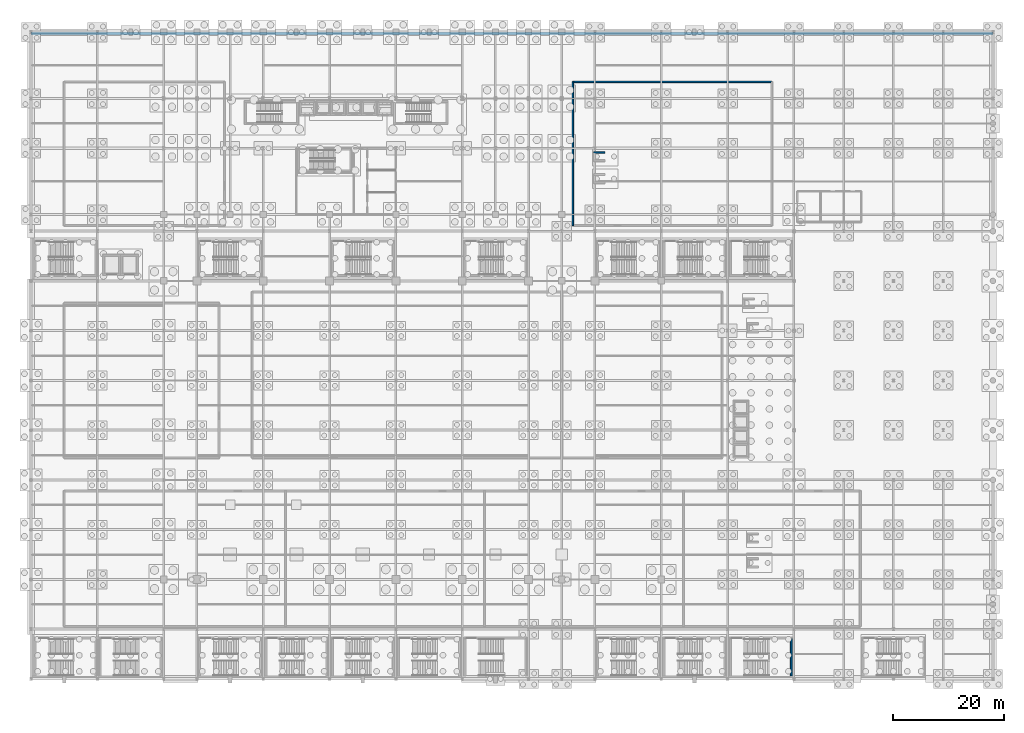
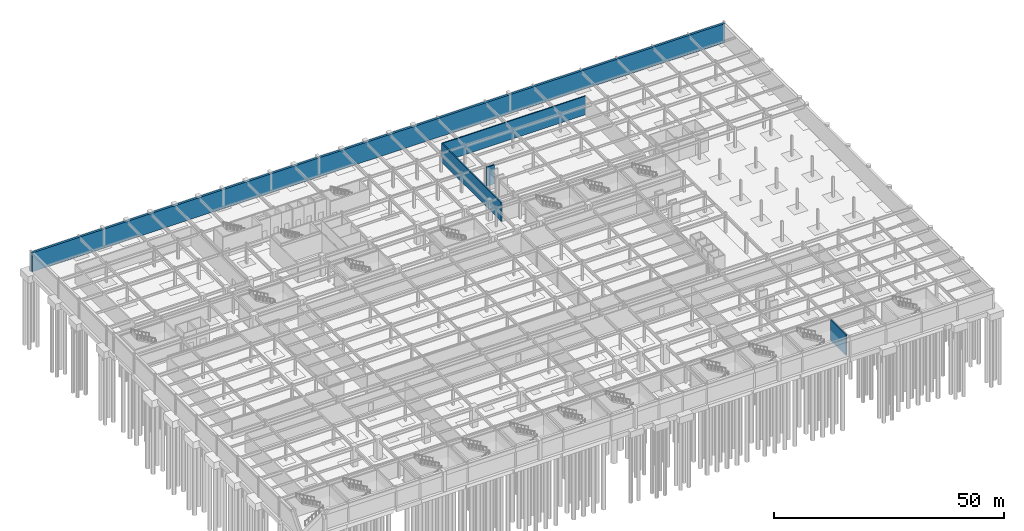
# One storey, part 32 of 47: 5 walls.
"""IFC4 building model written with IfcOpenShell, lengths in metres."""

from ifc_helpers import new_model, si_unit, direction, frame, frame_2d, origin, place, context, subcontext, project, spatial, rectangle, extrude, material, layer, layer_set, type_object, element, save


model = new_model("IFC4")

# Units and contexts
model_context = context("Model", 3, precision=1e-05, world=origin(), true_north=direction((0.0, 1.0)))
body_context = subcontext(model_context, "Body", "Model", "MODEL_VIEW")
ifc_project = project(units=[si_unit("LENGTHUNIT", "METRE"), si_unit("AREAUNIT", "SQUARE_METRE"), si_unit("VOLUMEUNIT", "CUBIC_METRE"), si_unit("PLANEANGLEUNIT", "RADIAN"), si_unit("MASSUNIT", "GRAM", prefix="KILO")], contexts=[model_context])

# Site, building, storey
site_placement = place(None, origin())
site = spatial("IfcSite", under=ifc_project, at=site_placement, CompositionType="ELEMENT")
building_placement = place(site_placement, origin())
building = spatial("IfcBuilding", under=site, at=building_placement, Name="Kaldorvane Square Convention Centre", CompositionType="ELEMENT")
storey_placement = place(building_placement, frame((0.0, 0.0, -5.399993896484375)))
storey = spatial("IfcBuildingStorey", under=building, at=storey_placement, Name="B01", CompositionType="ELEMENT", Elevation=-5.399993896484375)

# Walls
ifc_material_1 = material(Name="Reinforced Concrete Masonry Acoustic Partition", Category="masonry")
ifc_layer_1 = layer(ifc_material_1, 0.279998779296875)
ifc_layer_set_1 = layer_set([ifc_layer_1], Name="Reinforced Concrete Masonry Acoustic Partition")
wall_type_1 = type_object("IfcWallType", Name="WL-ACO-280", PredefinedType="PARTITIONING", material=ifc_layer_set_1)
wall_1_placement = place(storey_placement, frame((134.0, 108.0, 0.0), z_axis=(0.0, 0.0, 1.0), x_axis=(-1.0, 0.0, 0.0)))
element("IfcWall", 1, at=wall_1_placement, inside=storey, type_object=wall_type_1, Name="Building Automation and Telecom MDF Room N Wall", PredefinedType="PARTITIONING", context=body_context, shape_type="SweptSolid", body=[
    extrude(rectangle(XDim=36.0, YDim=0.279998779296875, at=frame_2d((18.0, 0.0))), origin(), (0.0, 0.0, 1.0), 4.959991455078125),
])
wall_2_placement = place(storey_placement, frame((98.0, 108.0, 0.0), z_axis=(0.0, 0.0, 1.0), x_axis=(0.0, -1.0, 0.0)))
element("IfcWall", 2, at=wall_2_placement, inside=storey, type_object=wall_type_1, Name="Building Automation and Telecom MDF Room W Wall", PredefinedType="PARTITIONING", context=body_context, shape_type="SweptSolid", body=[
    extrude(rectangle(XDim=26.0, YDim=0.279998779296875, at=frame_2d((13.0, 0.0))), origin(), (0.0, 0.0, 1.0), 4.959991455078125),
])
ifc_material_2 = material(Name="Concrete f'c = 42 MPa (Normalweight)", Category="concrete")
ifc_layer_2 = layer(ifc_material_2, 0.5500030517578125)
ifc_layer_set_2 = layer_set([ifc_layer_2], Name="Concrete f'c = 42 MPa (Normalweight)")
wall_type_2 = type_object("IfcWallType", Name="WL-RET-550", PredefinedType="SOLIDWALL", material=ifc_layer_set_2)
wall_3_placement = place(storey_placement, frame((174.0, 116.72500610351562, 0.0), z_axis=(0.0, 0.0, 1.0), x_axis=(-1.0, 0.0, 0.0)))
element("IfcWall", 3, at=wall_3_placement, inside=storey, type_object=wall_type_2, Name="Basement Perimeter Retaining Wall N", PredefinedType="SOLIDWALL", context=body_context, shape_type="SweptSolid", body=[
    extrude(rectangle(XDim=174.0, YDim=0.5500030517578125, at=frame_2d((87.0, 0.0))), origin(), (0.0, 0.0, 1.0), 5.019989013671875),
])
ifc_material_3 = material(Name="Concrete f'c = 55 MPa (Normalweight)", Category="concrete")
ifc_layer_3 = layer(ifc_material_3, 0.3000030517578125)
ifc_layer_set_3 = layer_set([ifc_layer_3], Name="Concrete f'c = 55 MPa (Normalweight)")
wall_type_3 = type_object("IfcWallType", Name="WL-SHAFT-300", PredefinedType="SHEAR", material=ifc_layer_set_3)
wall_4_placement = place(storey_placement, frame((137.50999450683594, 0.5500030517578125, 0.0), z_axis=(0.0, 0.0, 1.0), x_axis=(0.0, 1.0, 0.0)))
element("IfcWall", 4, at=wall_4_placement, inside=storey, type_object=wall_type_3, Name="Core Enclosure Wall stair:ST-C10-E (B01)", PredefinedType="SHEAR", context=body_context, shape_type="SweptSolid", body=[
    extrude(rectangle(XDim=6.709991455078125, YDim=0.3000030517578125, at=frame_2d((3.3549957275390625, 0.0))), origin(), (0.0, 0.0, 1.0), 5.399993896484375),
])
wall_5_placement = place(storey_placement, frame((101.77999877929688, 95.25, 0.0), z_axis=(0.0, 0.0, 1.0), x_axis=(1.0, 0.0, 0.0)))
element("IfcWall", 5, at=wall_5_placement, inside=storey, type_object=wall_type_3, Name="Hotel Atrium Grand Stair F6 Support Pier N (B01)", PredefinedType="SHEAR", context=body_context, shape_type="SweptSolid", body=[
    extrude(rectangle(XDim=2.0, YDim=0.3000030517578125, at=frame_2d((1.0, 0.0))), origin(), (0.0, 0.0, 1.0), 5.019989013671875),
])

save(model, "model.ifc")
